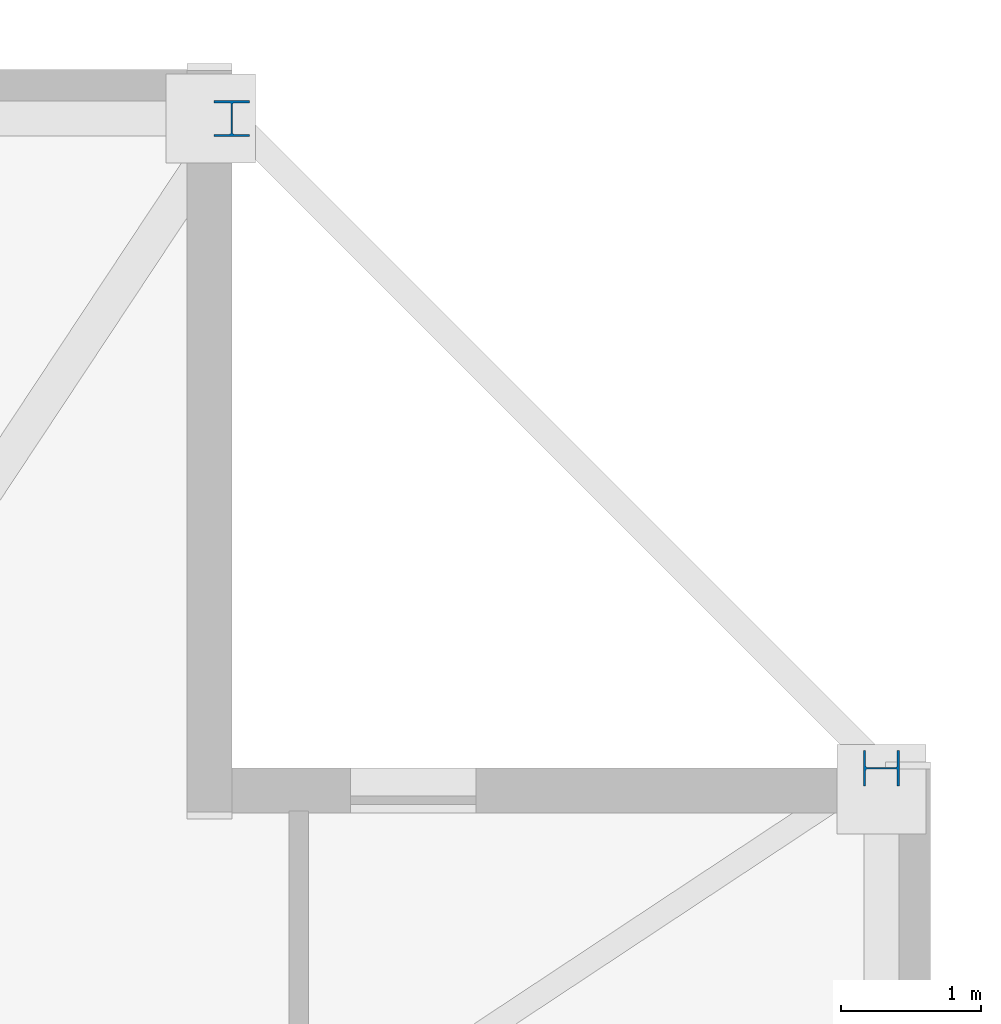
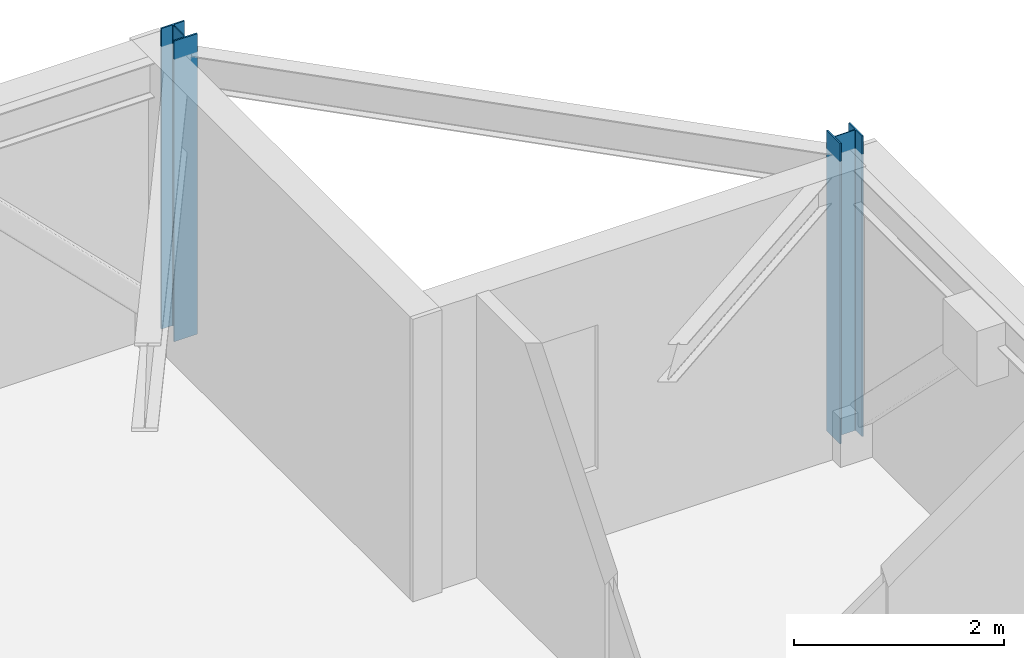
# One storey, part 5 of 17: 2 columns.
"""IFC4 building model written with IfcOpenShell, lengths in metres."""

from ifc_helpers import new_model, si_unit, direction, frame, origin, origin_2d, place, context, subcontext, project, spatial, i_section, extrude, material, material_profile, profile_set, type_object, element, save


model = new_model("IFC4")

# Units and contexts
model_context = context("Model", 3, precision=1e-05, world=origin(), true_north=direction((0.0, 1.0)))
body_context = subcontext(model_context, "Body", "Model", "MODEL_VIEW")
ifc_project = project(units=[si_unit("LENGTHUNIT", "METRE"), si_unit("AREAUNIT", "SQUARE_METRE"), si_unit("VOLUMEUNIT", "CUBIC_METRE"), si_unit("PLANEANGLEUNIT", "RADIAN"), si_unit("MASSUNIT", "GRAM", prefix="KILO")], contexts=[model_context])

# Site, building, storey
site_placement = place(None, origin())
site = spatial("IfcSite", under=ifc_project, at=site_placement, CompositionType="ELEMENT")
building_placement = place(site_placement, origin())
building = spatial("IfcBuilding", under=site, at=building_placement, Name="Cairnveth Concourse Tower", CompositionType="ELEMENT")
storey_placement = place(building_placement, frame((0.0, 0.0, 227.0)))
storey = spatial("IfcBuildingStorey", under=building, at=storey_placement, Name="L62", CompositionType="ELEMENT", Elevation=227.0)

# Columns
ifc_material = material(Name="Steel Grade 350", Category="steel")
ifc_material_profile = material_profile(ifc_material, i_section(OverallWidth=0.256103515625, OverallDepth=0.260009765625, WebThickness=0.010498046875, FlangeThickness=0.017333984375, FilletRadius=0.012939453125, at=origin_2d()), Name="250UC89.5")
ifc_profile_set = profile_set([ifc_material_profile], Name="Steel Grade 350")
column_type = type_object("IfcColumnType", Name="UNIVERSAL STEEL COLUMN 250UC89.5", PredefinedType="COLUMN", material=ifc_profile_set)
for number, where, z_axis, x_axis, name in (
    (1, (74.14990234375, 56.5, 0.0), (0.0, 0.0, 1.0), (0.0, 1.0, 0.0), "Column P-E4 L62"),
    (2, (69.5, 61.14990234375, 0.0), (0.0, 0.0, 1.0), (1.0, 0.0, 0.0), "Column P-N1 L62"),
):
    element("IfcColumn", number, at=place(storey_placement, frame(where, z_axis=z_axis, x_axis=x_axis)), inside=storey, type_object=column_type, Name=name, PredefinedType="COLUMN", context=body_context, shape_type="SweptSolid", body=[
        extrude(i_section(OverallWidth=0.256103515625, OverallDepth=0.260009765625, WebThickness=0.010498046875, FlangeThickness=0.017333984375, FilletRadius=0.012939453125, at=origin_2d()), origin(), (0.0, 0.0, 1.0), 3.5),
    ])

save(model, "model.ifc")
